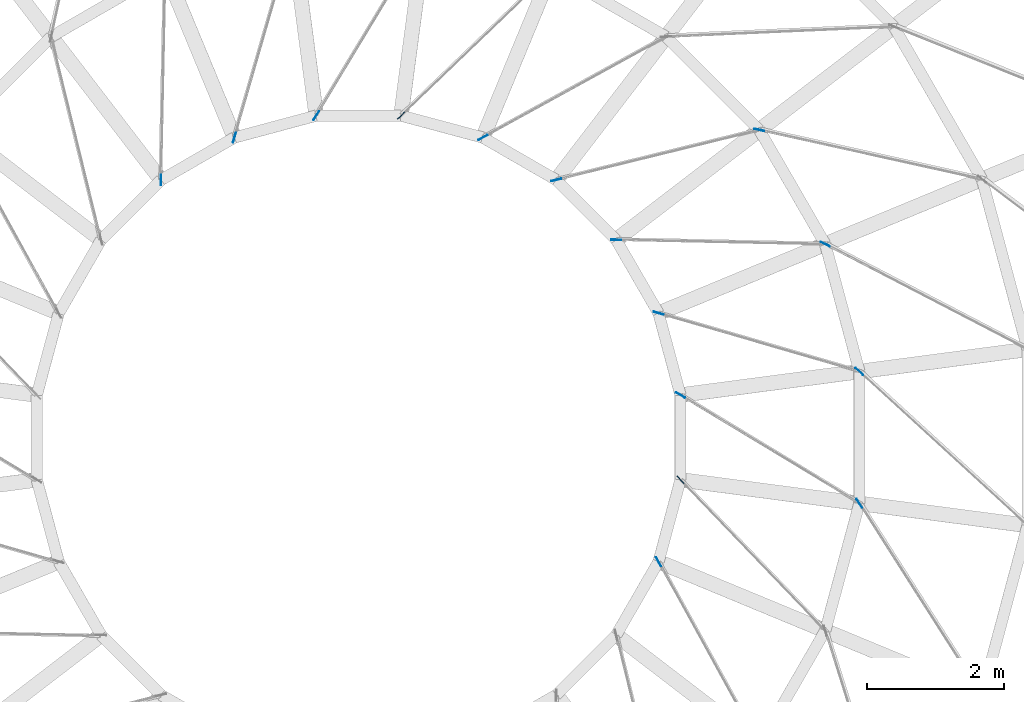
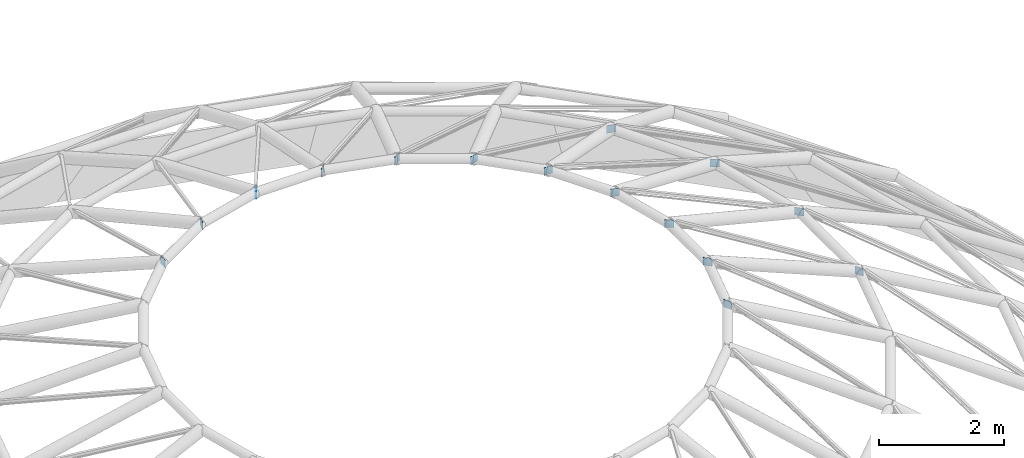
# One storey, part 23 of 33: 15 discrete accessories.
"""IFC4 building model written with IfcOpenShell, lengths in metres."""

from ifc_helpers import new_model, si_unit, direction, frame, origin, origin_2d, place, context, subcontext, project, spatial, rectangle, extrude, material, type_object, element, save


model = new_model("IFC4")

# Units and contexts
model_context = context("Model", 3, precision=1e-05, world=origin(), true_north=direction((0.0, 1.0)))
body_context = subcontext(model_context, "Body", "Model", "MODEL_VIEW")
ifc_project = project(units=[si_unit("LENGTHUNIT", "METRE"), si_unit("AREAUNIT", "SQUARE_METRE"), si_unit("VOLUMEUNIT", "CUBIC_METRE"), si_unit("PLANEANGLEUNIT", "RADIAN"), si_unit("MASSUNIT", "GRAM", prefix="KILO")], contexts=[model_context])

# Site, building, storey
site_placement = place(None, origin())
site = spatial("IfcSite", under=ifc_project, at=site_placement, CompositionType="ELEMENT")
building_placement = place(site_placement, origin())
building = spatial("IfcBuilding", under=site, at=building_placement, Name="Hortulan Conservatory and Botanical Research Centre", CompositionType="ELEMENT")
storey_placement = place(building_placement, frame((0.0, 0.0, 19.199951171875)))
storey = spatial("IfcBuildingStorey", under=building, at=storey_placement, Name="L04", CompositionType="ELEMENT", Elevation=19.199951171875)

# Discrete accessories
ifc_material = material(Name="Steel Grade 300 plate (AS/NZS 3678, 280 MPa minimum yield)", Category="steel")
discrete_accessory_type = type_object("IfcDiscreteAccessoryType", Name="End Plate 150x10", PredefinedType="BRACKET", material=ifc_material)
for number, where, z_axis, x_axis, name in (
    (1, (51.11865234375, 21.7548828125, 4.124755859375), (0.0, 0.0, 1.0), (0.020698126754, 0.999785770827, 0.0), "Dome rod end plate"),
    (2, (52.188720703125, 22.372802734375, 4.124755859375), (0.0, 0.0, 1.0), (0.278722930579, 0.960371557247, 0.0), "Dome rod end plate"),
    (3, (53.382080078125, 22.6923828125, 4.124755859375), (0.0, 0.0, 1.0), (0.517788126416, 0.855508887238, 0.0), "Dome rod end plate"),
    (4, (54.617919921875, 22.6923828125, 4.124755859375), (0.0, 0.0, 1.0), (0.721566917122, 0.692344700359, 0.0), "Dome rod end plate"),
    (5, (55.811279296875, 22.372802734375, 4.124755859375), (0.0, 0.0, 1.0), (0.876172114873, 0.481998366304, 0.0), "Dome rod end plate"),
    (6, (56.88134765625, 21.7548828125, 4.124755859375), (0.0, 0.0, 1.0), (0.971063462862, 0.238821588416, 0.0), "Dome rod end plate"),
    (7, (57.7548828125, 20.88134765625, 4.124755859375), (0.0, 0.0, 1.0), (0.999785770827, -0.020698126754, 0.0), "Dome rod end plate"),
    (8, (58.372802734375, 16.188720703125, 4.124755859375), (0.0, 0.0, 1.0), (0.481998366304, -0.876172114873, 0.0), "Dome rod end plate"),
    (9, (58.372802734375, 19.811279296875, 4.124755859375), (0.0, 0.0, 1.0), (0.960371557247, -0.278722930579, 0.0), "Dome rod end plate"),
    (10, (58.6923828125, 17.382080078125, 4.124755859375), (0.0, 0.0, 1.0), (0.692344700359, -0.721566917122, 0.0), "Dome rod end plate"),
    (11, (58.6923828125, 18.617919921875, 4.124755859375), (0.0, 0.0, 1.0), (0.855508887238, -0.517788126416, 0.0), "Dome rod end plate"),
    (12, (59.842529296875, 22.483154296875, 3.236083984375), (0.0, 0.0, 1.0), (0.976379041994, -0.216064727236, 0.0), "Dome rod end plate"),
    (13, (60.8037109375, 20.818115234375, 3.236083984375), (0.0, 0.0, 1.0), (0.887188066525, -0.461407991495, 0.0), "Dome rod end plate"),
    (14, (61.301513671875, 17.038818359375, 3.236083984375), (0.0, 0.0, 1.0), (0.537593974759, -0.84320384149, 0.0), "Dome rod end plate"),
    (15, (61.301513671875, 18.961181640625, 3.236083984375), (0.0, 0.0, 1.0), (0.737536690471, -0.675307063645, 0.0), "Dome rod end plate"),
):
    element("IfcDiscreteAccessory", number, at=place(storey_placement, frame(where, z_axis=z_axis, x_axis=x_axis)), inside=storey, type_object=discrete_accessory_type, Name=name, PredefinedType="BRACKET", context=body_context, shape_type="SweptSolid", body=[
        extrude(rectangle(XDim=0.14990234375, YDim=0.010009765625, at=origin_2d()), origin(), (0.0, 0.0, 1.0), 0.14990234375),
    ])

save(model, "model.ifc")
